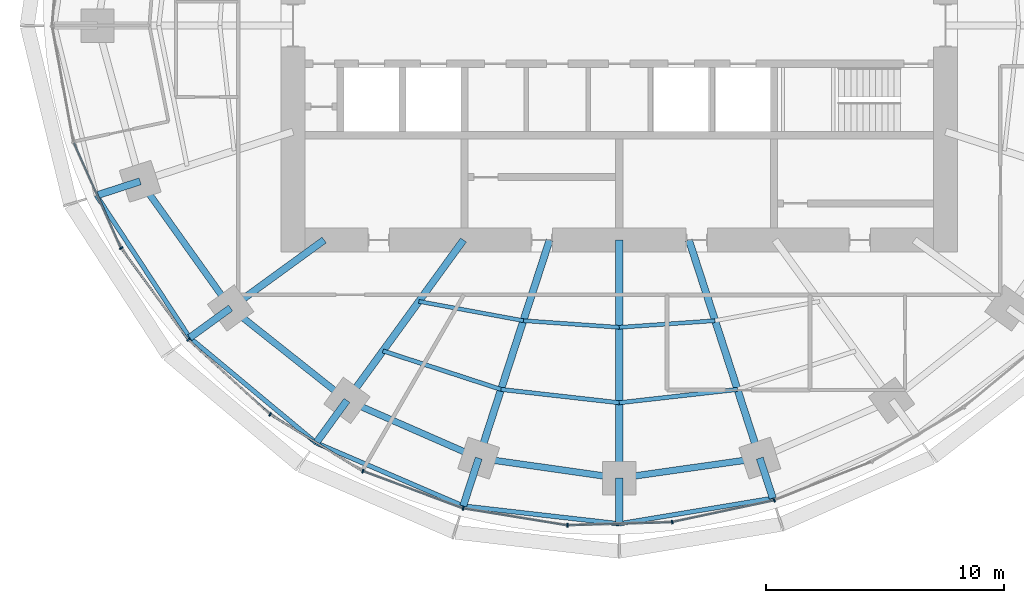
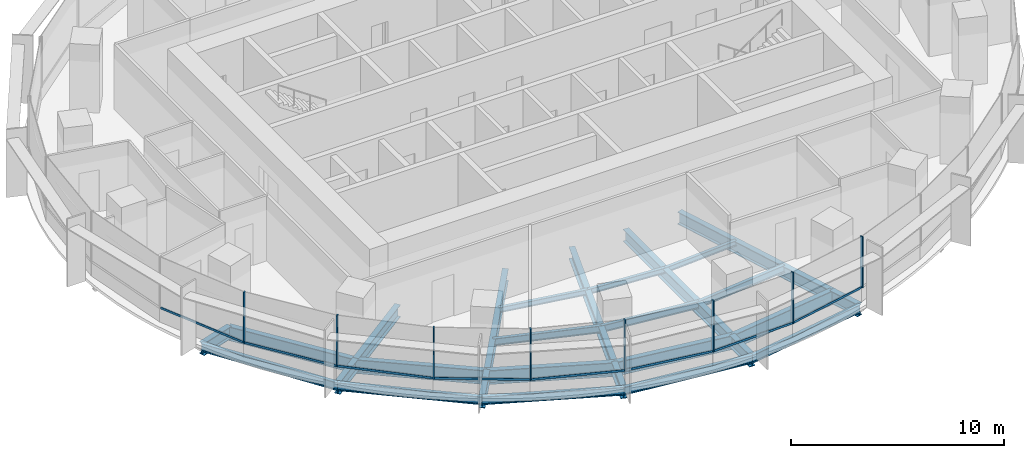
# One storey, part 2 of 14: 27 beams, 16 members, 2 elements without a shape of their own.
"""IFC4 building model written with IfcOpenShell, lengths in metres."""

from ifc_helpers import new_model, si_unit, direction, frame, origin, origin_2d, place, context, subcontext, project, spatial, rectangle, i_section, extrude, material, material_profile, profile_set, type_object, element, aggregate, save


model = new_model("IFC4")

# Units and contexts
model_context = context("Model", 3, precision=1e-05, world=origin(), true_north=direction((0.0, 1.0)))
body_context = subcontext(model_context, "Body", "Model", "MODEL_VIEW")
ifc_project = project(units=[si_unit("LENGTHUNIT", "METRE"), si_unit("AREAUNIT", "SQUARE_METRE"), si_unit("VOLUMEUNIT", "CUBIC_METRE"), si_unit("PLANEANGLEUNIT", "RADIAN"), si_unit("MASSUNIT", "GRAM", prefix="KILO")], contexts=[model_context])

# Site, building, storey
site_placement = place(None, origin())
site = spatial("IfcSite", under=ifc_project, at=site_placement, CompositionType="ELEMENT")
building_placement = place(site_placement, origin())
building = spatial("IfcBuilding", under=site, at=building_placement, Name="Marramba Exchange Tower", CompositionType="ELEMENT")
storey_placement = place(building_placement, frame((0.0, 0.0, 176.0)))
storey = spatial("IfcBuildingStorey", under=building, at=storey_placement, Name="L42", CompositionType="ELEMENT", Elevation=176.0)

# Beams
ifc_material_1 = material(Name="Steel AS/NZS 3679.2 grade 300", Category="steel")
ifc_material_profile_1 = material_profile(ifc_material_1, i_section(OverallWidth=0.300048828125, OverallDepth=0.699951171875, WebThickness=0.010009765625, FlangeThickness=0.031982421875, at=origin_2d()), Name="700WB173")
ifc_profile_set_1 = profile_set([ifc_material_profile_1], Name="Steel AS/NZS 3679.2 grade 300")
beam_type_1 = type_object("IfcBeamType", Name="Cantilever girder 700WB173", PredefinedType="BEAM", material=ifc_profile_set_1)
beam_1_placement = place(storey_placement, frame((-20.109375, -6.533935546875, -0.510009765625), z_axis=(-0.951071238541, -0.308971680287, 0.0), x_axis=(0.308971680287, -0.951071238541, 0.0)))
element("IfcBeam", 1, at=beam_1_placement, inside=storey, type_object=beam_type_1, Name="Cantilever girder L42 TC12", PredefinedType="BEAM", context=body_context, shape_type="SweptSolid", body=[
    extrude(i_section(OverallWidth=0.300048828125, OverallDepth=0.699951171875, WebThickness=0.010009765625, FlangeThickness=0.031982421875, at=origin_2d()), origin(), (0.0, 0.0, 1.0), 1.930419921875),
])
beam_2_placement = place(storey_placement, frame((-16.3154296875, -11.853759765625, -0.510009765625), z_axis=(-0.808969966943, -0.587849974555, 0.0), x_axis=(0.587849974555, -0.808969966943, 0.0)))
element("IfcBeam", 2, at=beam_2_placement, inside=storey, type_object=beam_type_1, Name="Cantilever girder L42 TC13", PredefinedType="BEAM", context=body_context, shape_type="SweptSolid", body=[
    extrude(i_section(OverallWidth=0.300048828125, OverallDepth=0.699951171875, WebThickness=0.010009765625, FlangeThickness=0.031982421875, at=origin_2d()), origin(), (0.0, 0.0, 1.0), 2.12109375),
])
beam_3_placement = place(storey_placement, frame((-11.430419921875, -15.732666015625, -0.510009765625), z_axis=(-0.587789596657, -0.809013837992, 0.0), x_axis=(0.809013837992, -0.587789596657, 0.0)))
element("IfcBeam", 3, at=beam_3_placement, inside=storey, type_object=beam_type_1, Name="Cantilever girder L42 TC14", PredefinedType="BEAM", context=body_context, shape_type="SweptSolid", body=[
    extrude(i_section(OverallWidth=0.300048828125, OverallDepth=0.699951171875, WebThickness=0.010009765625, FlangeThickness=0.031982421875, at=origin_2d()), origin(), (0.0, 0.0, 1.0), 2.203857421875),
])
beam_4_placement = place(storey_placement, frame((-5.899658203125, -18.156982421875, -0.510009765625), z_axis=(-0.308971068529, -0.951071437281, 0.0), x_axis=(0.951071437281, -0.308971068529, 0.0)))
element("IfcBeam", 4, at=beam_4_placement, inside=storey, type_object=beam_type_1, Name="Cantilever girder L42 TC15", PredefinedType="BEAM", context=body_context, shape_type="SweptSolid", body=[
    extrude(i_section(OverallWidth=0.300048828125, OverallDepth=0.699951171875, WebThickness=0.010009765625, FlangeThickness=0.031982421875, at=origin_2d()), origin(), (0.0, 0.0, 1.0), 2.112060546875),
])
beam_5_placement = place(storey_placement, frame((0.0, -18.99609375, -0.510009765625), z_axis=(0.0, -1.0, 0.0), x_axis=(1.0, 0.0, 0.0)))
element("IfcBeam", 5, at=beam_5_placement, inside=storey, type_object=beam_type_1, Name="Cantilever girder L42 TC16", PredefinedType="BEAM", context=body_context, shape_type="SweptSolid", body=[
    extrude(i_section(OverallWidth=0.300048828125, OverallDepth=0.699951171875, WebThickness=0.010009765625, FlangeThickness=0.031982421875, at=origin_2d()), origin(), (0.0, 0.0, 1.0), 1.917724609375),
])
beam_6_placement = place(storey_placement, frame((5.899658203125, -18.156982421875, -0.510009765625), z_axis=(0.308926813415, -0.951085813138, 0.0), x_axis=(0.951085813138, 0.308926813415, 0.0)))
element("IfcBeam", 6, at=beam_6_placement, inside=storey, type_object=beam_type_1, Name="Cantilever girder L42 TC17", PredefinedType="BEAM", context=body_context, shape_type="SweptSolid", body=[
    extrude(i_section(OverallWidth=0.300048828125, OverallDepth=0.699951171875, WebThickness=0.010009765625, FlangeThickness=0.031982421875, at=origin_2d()), origin(), (0.0, 0.0, 1.0), 1.767822265625),
])
ifc_material_2 = material(Name="Steel AS/NZS 3679.1 grade 300", Category="steel")
ifc_material_profile_2 = material_profile(ifc_material_2, i_section(OverallWidth=0.166015625, OverallDepth=0.306884765625, WebThickness=0.006591796875, FlangeThickness=0.01171875, FilletRadius=0.011474609375, at=origin_2d()), Name="310UB46.2")
ifc_profile_set_2 = profile_set([ifc_material_profile_2], Name="Steel AS/NZS 3679.1 grade 300")
beam_type_2 = type_object("IfcBeamType", Name="Floor joist 310UB46.2", PredefinedType="JOIST", material=ifc_profile_set_2)
beam_7_placement = place(storey_placement, frame((-8.41162109375, -11.57763671875, -0.3134765625), z_axis=(0.983455754421, -0.181148500119, 0.0), x_axis=(0.181148500119, 0.983455754421, 0.0)))
element("IfcBeam", 7, at=beam_7_placement, inside=storey, type_object=beam_type_2, Name="Joist L42 bay 14 row 1", PredefinedType="JOIST", context=body_context, shape_type="SweptSolid", body=[
    extrude(i_section(OverallWidth=0.166015625, OverallDepth=0.306884765625, WebThickness=0.006591796875, FlangeThickness=0.01171875, FilletRadius=0.011474609375, at=origin_2d()), origin(), (0.0, 0.0, 1.0), 4.4609375),
])
for number, where, z_axis, x_axis, name in (
    (8, (-4.0244140625, -12.3857421875, -0.3134765625), (0.99759625901, -0.069294328838, 0.0), (0.069294328838, 0.99759625901, 0.0), "Joist L42 bay 15 row 1"),
    (9, (0.0, -12.665283203125, -0.3134765625), (0.99759625901, 0.069294328838, 0.0), (-0.069294328838, 0.99759625901, 0.0), "Joist L42 bay 16 row 1"),
):
    element("IfcBeam", number, at=place(storey_placement, frame(where, z_axis=z_axis, x_axis=x_axis)), inside=storey, type_object=beam_type_2, Name=name, PredefinedType="JOIST", context=body_context, shape_type="SweptSolid", body=[
        extrude(i_section(OverallWidth=0.166015625, OverallDepth=0.306884765625, WebThickness=0.006591796875, FlangeThickness=0.01171875, FilletRadius=0.011474609375, at=origin_2d()), origin(), (0.0, 0.0, 1.0), 4.0341796875),
    ])
ifc_material_profile_3 = material_profile(ifc_material_2, i_section(OverallWidth=0.177978515625, OverallDepth=0.406005859375, WebThickness=0.0078125, FlangeThickness=0.0126953125, FilletRadius=0.011474609375, at=origin_2d()), Name="410UB59.7")
ifc_profile_set_3 = profile_set([ifc_material_profile_3], Name="Steel AS/NZS 3679.1 grade 300")
beam_type_3 = type_object("IfcBeamType", Name="Floor joist 410UB59.7", PredefinedType="JOIST", material=ifc_profile_set_3)
beam_8_placement = place(storey_placement, frame((-9.9208984375, -13.655029296875, -0.363037109375), z_axis=(0.950764024931, -0.309915744834, 0.0), x_axis=(0.309915744834, 0.950764024931, 0.0)))
element("IfcBeam", 10, at=beam_8_placement, inside=storey, type_object=beam_type_3, Name="Joist L42 bay 14 row 2", PredefinedType="JOIST", context=body_context, shape_type="SweptSolid", body=[
    extrude(i_section(OverallWidth=0.177978515625, OverallDepth=0.406005859375, WebThickness=0.0078125, FlangeThickness=0.0126953125, FilletRadius=0.011474609375, at=origin_2d()), origin(), (0.0, 0.0, 1.0), 5.2158203125),
])
for number, where, z_axis, x_axis, name in (
    (11, (-4.9619140625, -15.271484375, -0.363037109375), (0.993712018573, -0.111966174106, 0.0), (0.111966174106, 0.993712018573, 0.0), "Joist L42 bay 15 row 2"),
    (12, (0.0, -15.83056640625, -0.363037109375), (0.993712018573, 0.111966174106, 0.0), (-0.111966174106, 0.993712018573, 0.0), "Joist L42 bay 16 row 2"),
):
    element("IfcBeam", number, at=place(storey_placement, frame(where, z_axis=z_axis, x_axis=x_axis)), inside=storey, type_object=beam_type_3, Name=name, PredefinedType="JOIST", context=body_context, shape_type="SweptSolid", body=[
        extrude(i_section(OverallWidth=0.177978515625, OverallDepth=0.406005859375, WebThickness=0.0078125, FlangeThickness=0.0126953125, FilletRadius=0.011474609375, at=origin_2d()), origin(), (0.0, 0.0, 1.0), 4.993408203125),
    ])

# Curtain wall, members
ifc_material_3 = material(Name="Aluminium framing, bronze anodised", Category="aluminium")
curtain_wall_type = type_object("IfcCurtainWallType", Name="Office ribbon curtain wall", PredefinedType="USERDEFINED", material=ifc_material_3)
curtain_wall_1_placement = place(storey_placement, origin())
curtain_wall_1 = element("IfcCurtainWall", 13, at=curtain_wall_1_placement, inside=storey, type_object=curtain_wall_type, Name="Curtain wall CW4 L42 F16-F20", ObjectType="RIBBON CURTAIN WALL", PredefinedType="USERDEFINED")
ifc_material_4 = material(Name="Aluminium mullion, bronze anodised", Category="aluminium")
ifc_material_profile_4 = material_profile(ifc_material_4, rectangle(XDim=0.159912109375, YDim=0.06005859375, at=origin_2d()), Name="CW4 mullion 60x160")
ifc_profile_set_4 = profile_set([ifc_material_profile_4], Name="Aluminium mullion, bronze anodised")
member_type_1 = type_object("IfcMemberType", Name="Office ribbon curtain wall mullion", PredefinedType="MULLION", material=ifc_profile_set_4)
member_1_placement = place(storey_placement, frame((-20.910400390625, -9.342041015625, 0.800048828125), z_axis=(0.0, 0.0, 1.0), x_axis=(0.806508054547, 0.591223103363, 0.0)))
member_1 = element("IfcMember", 14, at=member_1_placement, type_object=member_type_1, Name="CW4 mullion 1", PredefinedType="MULLION", context=body_context, shape_type="SweptSolid", body=[
    extrude(rectangle(XDim=0.159912109375, YDim=0.06005859375, at=origin_2d()), origin(), (0.0, 0.0, 1.0), 2.93994140625),
])
member_2_placement = place(storey_placement, frame((-18.090087890625, -13.179443359375, 0.800048828125), z_axis=(0.0, 0.0, 1.0), x_axis=(0.67567103474, 0.737203264245, 0.0)))
member_2 = element("IfcMember", 15, at=member_2_placement, type_object=member_type_1, Name="CW4 mullion 1", PredefinedType="MULLION", context=body_context, shape_type="SweptSolid", body=[
    extrude(rectangle(XDim=0.159912109375, YDim=0.06005859375, at=origin_2d()), origin(), (0.0, 0.0, 1.0), 2.93994140625),
])
member_3_placement = place(storey_placement, frame((-14.655029296875, -16.320068359375, 0.800048828125), z_axis=(0.0, 0.0, 1.0), x_axis=(0.52305160869, 0.85230101176, 0.0)))
member_3 = element("IfcMember", 16, at=member_3_placement, type_object=member_type_1, Name="CW4 mullion 1", PredefinedType="MULLION", context=body_context, shape_type="SweptSolid", body=[
    extrude(rectangle(XDim=0.159912109375, YDim=0.06005859375, at=origin_2d()), origin(), (0.0, 0.0, 1.0), 2.93994140625),
])

curtain_wall_2_placement = place(storey_placement, origin())
curtain_wall_2 = element("IfcCurtainWall", 17, at=curtain_wall_2_placement, inside=storey, type_object=curtain_wall_type, Name="Curtain wall CW4 L42 F21-F25", ObjectType="RIBBON CURTAIN WALL", PredefinedType="USERDEFINED")
member_4_placement = place(storey_placement, frame((-10.76318359375, -18.70166015625, 0.800048828125), z_axis=(0.0, 0.0, 1.0), x_axis=(0.349459197687, 0.936951583142, 0.0)))
member_4 = element("IfcMember", 18, at=member_4_placement, type_object=member_type_1, Name="CW4 mullion 1", PredefinedType="MULLION", context=body_context, shape_type="SweptSolid", body=[
    extrude(rectangle(XDim=0.159912109375, YDim=0.06005859375, at=origin_2d()), origin(), (0.0, 0.0, 1.0), 2.93994140625),
])
member_5_placement = place(storey_placement, frame((-6.553466796875, -20.265625, 0.800048828125), z_axis=(0.0, 0.0, 1.0), x_axis=(0.161145726194, 0.986930623159, 0.0)))
member_5 = element("IfcMember", 19, at=member_5_placement, type_object=member_type_1, Name="CW4 mullion 1", PredefinedType="MULLION", context=body_context, shape_type="SweptSolid", body=[
    extrude(rectangle(XDim=0.159912109375, YDim=0.06005859375, at=origin_2d()), origin(), (0.0, 0.0, 1.0), 2.93994140625),
])
member_6_placement = place(storey_placement, frame((-2.174560546875, -20.974853515625, 0.800048828125), z_axis=(0.0, 0.0, 1.0), x_axis=(-0.029393451762, 0.99956791915, 0.0)))
member_6 = element("IfcMember", 20, at=member_6_placement, type_object=member_type_1, Name="CW4 mullion 1", PredefinedType="MULLION", context=body_context, shape_type="SweptSolid", body=[
    extrude(rectangle(XDim=0.159912109375, YDim=0.06005859375, at=origin_2d()), origin(), (0.0, 0.0, 1.0), 2.93994140625),
])
member_7_placement = place(storey_placement, frame((2.220458984375, -20.840087890625, 0.800048828125), z_axis=(0.0, 0.0, 1.0), x_axis=(-0.208332456608, 0.978058069607, 0.0)))
member_7 = element("IfcMember", 21, at=member_7_placement, type_object=member_type_1, Name="CW4 mullion 1", PredefinedType="MULLION", context=body_context, shape_type="SweptSolid", body=[
    extrude(rectangle(XDim=0.159912109375, YDim=0.06005859375, at=origin_2d()), origin(), (0.0, 0.0, 1.0), 2.93994140625),
])
member_8_placement = place(storey_placement, frame((6.504638671875, -19.922607421875, 0.800048828125), z_axis=(0.0, 0.0, 1.0), x_axis=(-0.367374724195, 0.93007301435, 0.0)))
member_8 = element("IfcMember", 22, at=member_8_placement, type_object=member_type_1, Name="CW4 mullion 1", PredefinedType="MULLION", context=body_context, shape_type="SweptSolid", body=[
    extrude(rectangle(XDim=0.159912109375, YDim=0.06005859375, at=origin_2d()), origin(), (0.0, 0.0, 1.0), 2.93994140625),
])

# Member
ifc_material_5 = material(Name="Aluminium transom, bronze anodised", Category="aluminium")
ifc_material_profile_5 = material_profile(ifc_material_5, rectangle(XDim=0.06005859375, YDim=0.1201171875, at=origin_2d()), Name="CW4 transom 60x120")
ifc_profile_set_5 = profile_set([ifc_material_profile_5], Name="Aluminium transom, bronze anodised")
member_type_2 = type_object("IfcMemberType", Name="Office ribbon curtain wall transom", PredefinedType="USERDEFINED", material=ifc_profile_set_5)
member_9_placement = place(storey_placement, frame((-22.888671875, -4.925048828125, 0.830078125), z_axis=(0.407541263131, -0.913186792965, 0.0), x_axis=(0.913186792965, 0.407541263131, 0.0)))
member_9 = element("IfcMember", 23, at=member_9_placement, type_object=member_type_2, Name="CW4 sill transom", ObjectType="TRANSOM", PredefinedType="USERDEFINED", context=body_context, shape_type="SweptSolid", body=[
    extrude(rectangle(XDim=0.06005859375, YDim=0.1201171875, at=origin_2d()), origin(), (0.0, 0.0, 1.0), 4.810546875),
])

member_10_placement = place(storey_placement, frame((-20.892578125, -9.3662109375, 0.830078125), z_axis=(0.591226373184, -0.806505657545, 0.0), x_axis=(0.806505657545, 0.591226373184, 0.0)))
member_10 = element("IfcMember", 24, at=member_10_placement, type_object=member_type_2, Name="CW4 sill transom", ObjectType="TRANSOM", PredefinedType="USERDEFINED", context=body_context, shape_type="SweptSolid", body=[
    extrude(rectangle(XDim=0.06005859375, YDim=0.1201171875, at=origin_2d()), origin(), (0.0, 0.0, 1.0), 4.702880859375),
])

member_11_placement = place(storey_placement, frame((-18.06787109375, -13.19970703125, 0.830078125), z_axis=(0.737176195283, -0.675700567639, 0.0), x_axis=(0.675700567639, 0.737176195283, 0.0)))
member_11 = element("IfcMember", 25, at=member_11_placement, type_object=member_type_2, Name="CW4 sill transom", ObjectType="TRANSOM", PredefinedType="USERDEFINED", context=body_context, shape_type="SweptSolid", body=[
    extrude(rectangle(XDim=0.06005859375, YDim=0.1201171875, at=origin_2d()), origin(), (0.0, 0.0, 1.0), 4.5947265625),
])

member_12_placement = place(storey_placement, frame((-14.62939453125, -16.335693359375, 0.830078125), z_axis=(0.852298011003, -0.523056498325, 0.0), x_axis=(0.523056498325, 0.852298011003, 0.0)))
member_12 = element("IfcMember", 26, at=member_12_placement, type_object=member_type_2, Name="CW4 sill transom", ObjectType="TRANSOM", PredefinedType="USERDEFINED", context=body_context, shape_type="SweptSolid", body=[
    extrude(rectangle(XDim=0.06005859375, YDim=0.1201171875, at=origin_2d()), origin(), (0.0, 0.0, 1.0), 4.503173828125),
])

aggregate(curtain_wall_1, [member_9, member_1, member_10, member_2, member_11, member_3, member_12])

member_13_placement = place(storey_placement, frame((-10.735107421875, -18.712158203125, 0.830078125), z_axis=(0.936954830677, -0.349450490444, 0.0), x_axis=(0.349450490444, 0.936954830677, 0.0)))
member_13 = element("IfcMember", 27, at=member_13_placement, type_object=member_type_2, Name="CW4 sill transom", ObjectType="TRANSOM", PredefinedType="USERDEFINED", context=body_context, shape_type="SweptSolid", body=[
    extrude(rectangle(XDim=0.06005859375, YDim=0.1201171875, at=origin_2d()), origin(), (0.0, 0.0, 1.0), 4.431396484375),
])

member_14_placement = place(storey_placement, frame((-6.52392578125, -20.2705078125, 0.830078125), z_axis=(0.986937225488, -0.161105285282, 0.0), x_axis=(0.161105285282, 0.986937225488, 0.0)))
member_14 = element("IfcMember", 28, at=member_14_placement, type_object=member_type_2, Name="CW4 sill transom", ObjectType="TRANSOM", PredefinedType="USERDEFINED", context=body_context, shape_type="SweptSolid", body=[
    extrude(rectangle(XDim=0.06005859375, YDim=0.1201171875, at=origin_2d()), origin(), (0.0, 0.0, 1.0), 4.37646484375),
])

member_15_placement = place(storey_placement, frame((-2.144775390625, -20.973876953125, 0.830078125), z_axis=(0.999568338005, 0.029379204529, 0.0), x_axis=(-0.029379204529, 0.999568338005, 0.0)))
member_15 = element("IfcMember", 29, at=member_15_placement, type_object=member_type_2, Name="CW4 sill transom", ObjectType="TRANSOM", PredefinedType="USERDEFINED", context=body_context, shape_type="SweptSolid", body=[
    extrude(rectangle(XDim=0.06005859375, YDim=0.1201171875, at=origin_2d()), origin(), (0.0, 0.0, 1.0), 4.337890625),
])

member_16_placement = place(storey_placement, frame((2.249755859375, -20.833984375, 0.830078125), z_axis=(0.978057951839, 0.208333009494, 0.0), x_axis=(-0.208333009494, 0.978057951839, 0.0)))
member_16 = element("IfcMember", 30, at=member_16_placement, type_object=member_type_2, Name="CW4 sill transom", ObjectType="TRANSOM", PredefinedType="USERDEFINED", context=body_context, shape_type="SweptSolid", body=[
    extrude(rectangle(XDim=0.06005859375, YDim=0.1201171875, at=origin_2d()), origin(), (0.0, 0.0, 1.0), 4.32177734375),
])

aggregate(curtain_wall_2, [member_4, member_13, member_5, member_14, member_6, member_15, member_7, member_16, member_8])

# Beams
ifc_material_profile_6 = material_profile(ifc_material_1, i_section(OverallWidth=0.300048828125, OverallDepth=0.699951171875, WebThickness=0.010009765625, FlangeThickness=0.031982421875, at=origin_2d()), Name="700WB173")
ifc_profile_set_6 = profile_set([ifc_material_profile_6], Name="Steel AS/NZS 3679.2 grade 300")
beam_type_4 = type_object("IfcBeamType", Name="Radial girder 700WB173", PredefinedType="BEAM", material=ifc_profile_set_6)
beam_9_placement = place(storey_placement, frame((-12.387451171875, -9.0, -0.510009765625), z_axis=(-0.809025189606, -0.58777397236, 0.0), x_axis=(0.58777397236, -0.809025189606, 0.0)))
element("IfcBeam", 31, at=beam_9_placement, inside=storey, type_object=beam_type_4, Name="Radial girder L42 TC13", PredefinedType="BEAM", context=body_context, shape_type="SweptSolid", body=[
    extrude(i_section(OverallWidth=0.300048828125, OverallDepth=0.699951171875, WebThickness=0.010009765625, FlangeThickness=0.031982421875, at=origin_2d()), origin(), (0.0, 0.0, 1.0), 4.855224609375),
])
beam_10_placement = place(storey_placement, frame((-6.538818359375, -9.0, -0.510009765625), z_axis=(-0.587787877172, -0.809015087282, 0.0), x_axis=(0.809015087282, -0.587787877172, 0.0)))
element("IfcBeam", 32, at=beam_10_placement, inside=storey, type_object=beam_type_4, Name="Radial girder L42 TC14", PredefinedType="BEAM", context=body_context, shape_type="SweptSolid", body=[
    extrude(i_section(OverallWidth=0.300048828125, OverallDepth=0.699951171875, WebThickness=0.010009765625, FlangeThickness=0.031982421875, at=origin_2d()), origin(), (0.0, 0.0, 1.0), 8.322021484375),
])
beam_11_placement = place(storey_placement, frame((-2.92431640625, -9.0, -0.510009765625), z_axis=(-0.309022428985, -0.951054750466, 0.0), x_axis=(0.951054750466, -0.309022428985, 0.0)))
element("IfcBeam", 33, at=beam_11_placement, inside=storey, type_object=beam_type_4, Name="Radial girder L42 TC15", PredefinedType="BEAM", context=body_context, shape_type="SweptSolid", body=[
    extrude(i_section(OverallWidth=0.300048828125, OverallDepth=0.699951171875, WebThickness=0.010009765625, FlangeThickness=0.031982421875, at=origin_2d()), origin(), (0.0, 0.0, 1.0), 9.628173828125),
])
beam_12_placement = place(storey_placement, frame((0.0, -9.0, -0.510009765625), z_axis=(0.0, -1.0, 0.0), x_axis=(1.0, 0.0, 0.0)))
element("IfcBeam", 34, at=beam_12_placement, inside=storey, type_object=beam_type_4, Name="Radial girder L42 TC16", PredefinedType="BEAM", context=body_context, shape_type="SweptSolid", body=[
    extrude(i_section(OverallWidth=0.300048828125, OverallDepth=0.699951171875, WebThickness=0.010009765625, FlangeThickness=0.031982421875, at=origin_2d()), origin(), (0.0, 0.0, 1.0), 9.99609375),
])
beam_13_placement = place(storey_placement, frame((2.92431640625, -9.0, -0.510009765625), z_axis=(0.309022428985, -0.951054750466, 0.0), x_axis=(0.951054750466, 0.309022428985, 0.0)))
element("IfcBeam", 35, at=beam_13_placement, inside=storey, type_object=beam_type_4, Name="Radial girder L42 TC17", PredefinedType="BEAM", context=body_context, shape_type="SweptSolid", body=[
    extrude(i_section(OverallWidth=0.300048828125, OverallDepth=0.699951171875, WebThickness=0.010009765625, FlangeThickness=0.031982421875, at=origin_2d()), origin(), (0.0, 0.0, 1.0), 9.628173828125),
])
ifc_material_profile_7 = material_profile(ifc_material_1, i_section(OverallWidth=0.27490234375, OverallDepth=0.800048828125, WebThickness=0.010009765625, FlangeThickness=0.02490234375, at=origin_2d()), Name="800WB168")
ifc_profile_set_7 = profile_set([ifc_material_profile_7], Name="Steel AS/NZS 3679.2 grade 300")
beam_type_5 = type_object("IfcBeamType", Name="Ring beam 800WB168", PredefinedType="SPANDREL", material=ifc_profile_set_7)
beam_14_placement = place(storey_placement, frame((-20.109375, -6.533935546875, -0.56005859375), z_axis=(0.580637181111, -0.814162430914, 0.0), x_axis=(0.814162430914, 0.580637181111, 0.0)))
element("IfcBeam", 36, at=beam_14_placement, inside=storey, type_object=beam_type_5, Name="Ring beam L42 TC12-TC13", PredefinedType="SPANDREL", context=body_context, shape_type="SweptSolid", body=[
    extrude(i_section(OverallWidth=0.27490234375, OverallDepth=0.800048828125, WebThickness=0.010009765625, FlangeThickness=0.02490234375, at=origin_2d()), origin(), (0.0, 0.0, 1.0), 6.5341796875),
])
beam_15_placement = place(storey_placement, frame((-16.3154296875, -11.853759765625, -0.56005859375), z_axis=(0.783139438128, -0.621846138887, 0.0), x_axis=(0.621846138887, 0.783139438128, 0.0)))
element("IfcBeam", 37, at=beam_15_placement, inside=storey, type_object=beam_type_5, Name="Ring beam L42 TC13-TC14", PredefinedType="SPANDREL", context=body_context, shape_type="SweptSolid", body=[
    extrude(i_section(OverallWidth=0.27490234375, OverallDepth=0.800048828125, WebThickness=0.010009765625, FlangeThickness=0.02490234375, at=origin_2d()), origin(), (0.0, 0.0, 1.0), 6.23779296875),
])
beam_16_placement = place(storey_placement, frame((-11.430419921875, -15.732666015625, -0.56005859375), z_axis=(0.915876892158, -0.4014592363, 0.0), x_axis=(0.4014592363, 0.915876892158, 0.0)))
element("IfcBeam", 38, at=beam_16_placement, inside=storey, type_object=beam_type_5, Name="Ring beam L42 TC14-TC15", PredefinedType="SPANDREL", context=body_context, shape_type="SweptSolid", body=[
    extrude(i_section(OverallWidth=0.27490234375, OverallDepth=0.800048828125, WebThickness=0.010009765625, FlangeThickness=0.02490234375, at=origin_2d()), origin(), (0.0, 0.0, 1.0), 6.038818359375),
])
for number, where, z_axis, x_axis, name in (
    (39, (-5.899658203125, -18.156982421875, -0.56005859375), (0.990036163016, -0.140813337152, 0.0), (0.140813337152, 0.990036163016, 0.0), "Ring beam L42 TC15-TC16"),
    (40, (0.0, -18.99609375, -0.56005859375), (0.990036163016, 0.140813337152, 0.0), (-0.140813337152, 0.990036163016, 0.0), "Ring beam L42 TC16-TC17"),
):
    element("IfcBeam", number, at=place(storey_placement, frame(where, z_axis=z_axis, x_axis=x_axis)), inside=storey, type_object=beam_type_5, Name=name, PredefinedType="SPANDREL", context=body_context, shape_type="SweptSolid", body=[
        extrude(i_section(OverallWidth=0.27490234375, OverallDepth=0.800048828125, WebThickness=0.010009765625, FlangeThickness=0.02490234375, at=origin_2d()), origin(), (0.0, 0.0, 1.0), 5.958984375),
    ])
ifc_material_profile_8 = material_profile(ifc_material_2, i_section(OverallWidth=0.19091796875, OverallDepth=0.4599609375, WebThickness=0.010009765625, FlangeThickness=0.01611328125, FilletRadius=0.011474609375, at=origin_2d()), Name="460UB82.1")
ifc_profile_set_8 = profile_set([ifc_material_profile_8], Name="Steel AS/NZS 3679.1 grade 300")
beam_type_6 = type_object("IfcBeamType", Name="Slab edge beam 460UB82.1", PredefinedType="SPANDREL", material=ifc_profile_set_8)
beam_17_placement = place(storey_placement, frame((-21.9453125, -7.13037109375, -0.389892578125), z_axis=(0.548275412052, -0.83629783722, 0.0), x_axis=(0.83629783722, 0.548275412052, 0.0)))
element("IfcBeam", 41, at=beam_17_placement, inside=storey, type_object=beam_type_6, Name="Slab edge beam L42 TC12-TC13", PredefinedType="SPANDREL", context=body_context, shape_type="SweptSolid", body=[
    extrude(i_section(OverallWidth=0.19091796875, OverallDepth=0.4599609375, WebThickness=0.010009765625, FlangeThickness=0.01611328125, FilletRadius=0.011474609375, at=origin_2d()), origin(), (0.0, 0.0, 1.0), 7.138916015625),
])
beam_18_placement = place(storey_placement, frame((-18.03125, -13.1005859375, -0.389892578125), z_axis=(0.768658895231, -0.639658895649, 0.0), x_axis=(0.639658895649, 0.768658895231, 0.0)))
element("IfcBeam", 42, at=beam_18_placement, inside=storey, type_object=beam_type_6, Name="Slab edge beam L42 TC13-TC14", PredefinedType="SPANDREL", context=body_context, shape_type="SweptSolid", body=[
    extrude(i_section(OverallWidth=0.19091796875, OverallDepth=0.4599609375, WebThickness=0.010009765625, FlangeThickness=0.01611328125, FilletRadius=0.011474609375, at=origin_2d()), origin(), (0.0, 0.0, 1.0), 6.902099609375),
])
beam_19_placement = place(storey_placement, frame((-12.725830078125, -17.515625, -0.389892578125), z_axis=(0.9189117964, -0.394463065999, 0.0), x_axis=(0.394463065999, 0.9189117964, 0.0)))
element("IfcBeam", 43, at=beam_19_placement, inside=storey, type_object=beam_type_6, Name="Slab edge beam L42 TC14-TC15", PredefinedType="SPANDREL", context=body_context, shape_type="SweptSolid", body=[
    extrude(i_section(OverallWidth=0.19091796875, OverallDepth=0.4599609375, WebThickness=0.010009765625, FlangeThickness=0.01611328125, FilletRadius=0.011474609375, at=origin_2d()), origin(), (0.0, 0.0, 1.0), 6.71826171875),
])
beam_20_placement = place(storey_placement, frame((-6.55224609375, -20.165771484375, -0.389892578125), z_axis=(0.993546030009, -0.113429653325, 0.0), x_axis=(0.113429653325, 0.993546030009, 0.0)))
element("IfcBeam", 44, at=beam_20_placement, inside=storey, type_object=beam_type_6, Name="Slab edge beam L42 TC15-TC16", PredefinedType="SPANDREL", context=body_context, shape_type="SweptSolid", body=[
    extrude(i_section(OverallWidth=0.19091796875, OverallDepth=0.4599609375, WebThickness=0.010009765625, FlangeThickness=0.01611328125, FilletRadius=0.011474609375, at=origin_2d()), origin(), (0.0, 0.0, 1.0), 6.5947265625),
])
beam_21_placement = place(storey_placement, frame((0.0, -20.913818359375, -0.389892578125), z_axis=(0.986365637189, 0.164568617219, 0.0), x_axis=(-0.164568617219, 0.986365637189, 0.0)))
element("IfcBeam", 45, at=beam_21_placement, inside=storey, type_object=beam_type_6, Name="Slab edge beam L42 TC16-TC17", PredefinedType="SPANDREL", context=body_context, shape_type="SweptSolid", body=[
    extrude(i_section(OverallWidth=0.19091796875, OverallDepth=0.4599609375, WebThickness=0.010009765625, FlangeThickness=0.01611328125, FilletRadius=0.011474609375, at=origin_2d()), origin(), (0.0, 0.0, 1.0), 6.534912109375),
])

save(model, "model.ifc")
